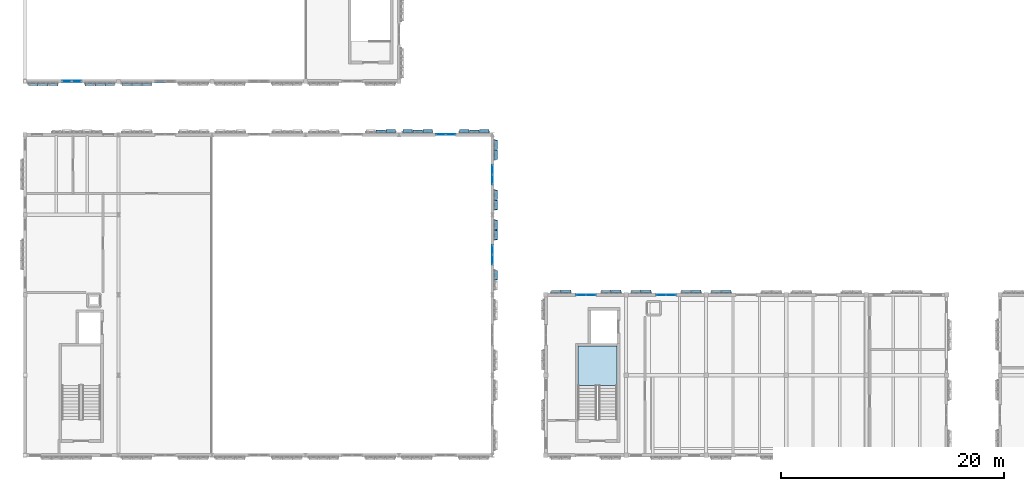
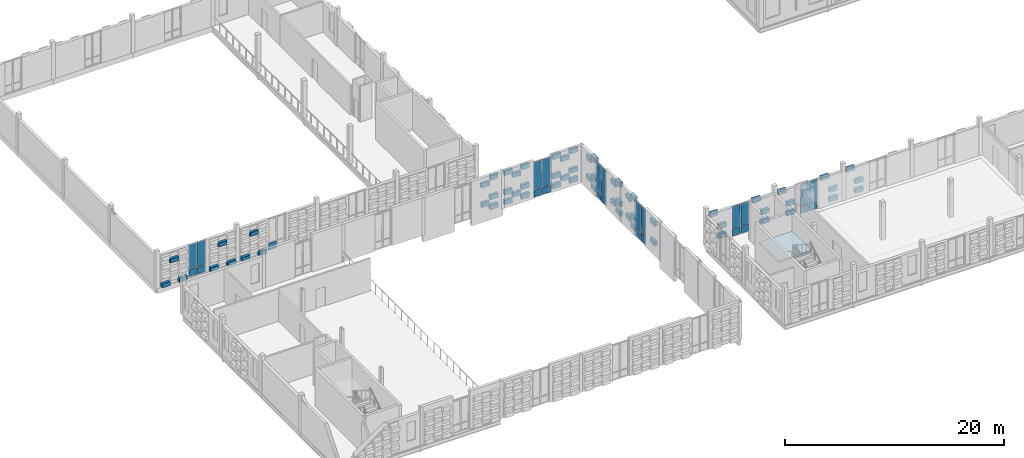
# One storey, part 33 of 81: 87 plates, 1 slab, 8 elements without a shape of their own.
"""IFC4 building model written with IfcOpenShell, lengths in metres."""

from ifc_helpers import new_model, si_unit, direction, frame, origin, origin_2d, place, context, subcontext, project, spatial, polyline, rectangle, outline, extrude, material, layer, layer_set, type_object, element, aggregate, save


model = new_model("IFC4")

# Units and contexts
model_context = context("Model", 3, precision=1e-05, world=origin(), true_north=direction((0.0, 1.0)))
body_context = subcontext(model_context, "Body", "Model", "MODEL_VIEW")
ifc_project = project(units=[si_unit("LENGTHUNIT", "METRE"), si_unit("AREAUNIT", "SQUARE_METRE"), si_unit("VOLUMEUNIT", "CUBIC_METRE"), si_unit("PLANEANGLEUNIT", "RADIAN"), si_unit("MASSUNIT", "GRAM", prefix="KILO")], contexts=[model_context])

# Site, building, storey
site_placement = place(None, origin())
site = spatial("IfcSite", under=ifc_project, at=site_placement, CompositionType="ELEMENT")
building_placement = place(site_placement, origin())
building = spatial("IfcBuilding", under=site, at=building_placement, Name="Kahlenmark Community Centre", CompositionType="ELEMENT")
storey_placement = place(building_placement, frame((0.0, 0.0, 9.60009765625)))
storey = spatial("IfcBuildingStorey", under=building, at=storey_placement, Name="L02", CompositionType="ELEMENT", Elevation=9.60009765625)

# Curtain wall, plates
ifc_material_1 = material(Name="Anodised aluminium unitised curtain wall", Category="aluminium")
curtain_wall_type_1 = type_object("IfcCurtainWallType", Name="CWT-UNIT-180X333", PredefinedType="USERDEFINED", material=ifc_material_1)
curtain_wall_1_placement = place(storey_placement, origin())
curtain_wall_1 = element("IfcCurtainWall", 1, at=curtain_wall_1_placement, inside=storey, type_object=curtain_wall_type_1, Name="Unitised curtain wall CW-084", ObjectType="UNITISED CURTAIN WALL", PredefinedType="USERDEFINED")
ifc_material_2 = material(Name="Triple low-e solar-control glass unit", Category="glass")
ifc_layer_1 = layer(ifc_material_2, 0.0439453125)
ifc_layer_set_1 = layer_set([ifc_layer_1], Name="Triple low-e solar-control glass unit")
plate_type_1 = type_object("IfcPlateType", Name="PLT-CW-GLZ-820X2400", PredefinedType="CURTAIN_PANEL", material=ifc_layer_set_1)
plate_1_placement = place(storey_placement, frame((62.050048828125, 23.199951171875, 0.889892578125), z_axis=(0.0, 0.0, 1.0), x_axis=(-1.0, 0.0, 0.0)))
plate_1 = element("IfcPlate", 2, at=plate_1_placement, type_object=plate_type_1, Name="CW-084 glazed panel 1", PredefinedType="CURTAIN_PANEL", context=body_context, shape_type="SweptSolid", body=[
    extrude(rectangle(XDim=0.820068359375, YDim=0.0439453125, at=origin_2d()), origin(), (0.0, 0.0, 1.0), 2.39990234375),
])
plate_2_placement = place(storey_placement, frame((61.14990234375, 23.199951171875, 0.889892578125), z_axis=(0.0, 0.0, 1.0), x_axis=(-1.0, 0.0, 0.0)))
plate_2 = element("IfcPlate", 3, at=plate_2_placement, type_object=plate_type_1, Name="CW-084 glazed panel 2", PredefinedType="CURTAIN_PANEL", context=body_context, shape_type="SweptSolid", body=[
    extrude(rectangle(XDim=0.820068359375, YDim=0.0439453125, at=origin_2d()), origin(), (0.0, 0.0, 1.0), 2.39990234375),
])

curtain_wall_type_2 = type_object("IfcCurtainWallType", Name="CWT-UNIT-180X337", PredefinedType="USERDEFINED", material=ifc_material_1)
curtain_wall_2_placement = place(storey_placement, origin())
curtain_wall_2 = element("IfcCurtainWall", 4, at=curtain_wall_2_placement, inside=storey, type_object=curtain_wall_type_2, Name="Unitised curtain wall CW-083", ObjectType="UNITISED CURTAIN WALL", PredefinedType="USERDEFINED")
ifc_layer_2 = layer(ifc_material_2, 0.0439453125)
ifc_layer_set_2 = layer_set([ifc_layer_2], Name="Triple low-e solar-control glass unit")
plate_type_2 = type_object("IfcPlateType", Name="PLT-CW-GLZ-820X2440", PredefinedType="CURTAIN_PANEL", material=ifc_layer_set_2)
plate_3_placement = place(storey_placement, frame((54.85009765625, 23.199951171875, 0.889892578125), z_axis=(0.0, 0.0, 1.0), x_axis=(-1.0, 0.0, 0.0)))
plate_3 = element("IfcPlate", 5, at=plate_3_placement, type_object=plate_type_2, Name="CW-083 glazed panel 1", PredefinedType="CURTAIN_PANEL", context=body_context, shape_type="SweptSolid", body=[
    extrude(rectangle(XDim=0.820068359375, YDim=0.0439453125, at=origin_2d()), origin(), (0.0, 0.0, 1.0), 2.43994140625),
])
plate_4_placement = place(storey_placement, frame((53.949951171875, 23.199951171875, 0.889892578125), z_axis=(0.0, 0.0, 1.0), x_axis=(-1.0, 0.0, 0.0)))
plate_4 = element("IfcPlate", 6, at=plate_4_placement, type_object=plate_type_2, Name="CW-083 glazed panel 2", PredefinedType="CURTAIN_PANEL", context=body_context, shape_type="SweptSolid", body=[
    extrude(rectangle(XDim=0.820068359375, YDim=0.0439453125, at=origin_2d()), origin(), (0.0, 0.0, 1.0), 2.43994140625),
])

curtain_wall_type_3 = type_object("IfcCurtainWallType", Name="CWT-UNIT-180X359", PredefinedType="USERDEFINED", material=ifc_material_1)
curtain_wall_3_placement = place(storey_placement, origin())
curtain_wall_3 = element("IfcCurtainWall", 7, at=curtain_wall_3_placement, inside=storey, type_object=curtain_wall_type_3, Name="Unitised curtain wall CW-070", ObjectType="UNITISED CURTAIN WALL", PredefinedType="USERDEFINED")
ifc_layer_3 = layer(ifc_material_2, 0.0439453125)
ifc_layer_set_3 = layer_set([ifc_layer_3], Name="Triple low-e solar-control glass unit")
plate_type_3 = type_object("IfcPlateType", Name="PLT-CW-GLZ-820X2660", PredefinedType="CURTAIN_PANEL", material=ifc_layer_set_3)
plate_5_placement = place(storey_placement, frame((7.75, 42.39990234375, 0.89013671875), z_axis=(0.0, 0.0, 1.0), x_axis=(1.0, 0.0, 0.0)))
plate_5 = element("IfcPlate", 8, at=plate_5_placement, type_object=plate_type_3, Name="CW-070 glazed panel 1", PredefinedType="CURTAIN_PANEL", context=body_context, shape_type="SweptSolid", body=[
    extrude(rectangle(XDim=0.820068359375, YDim=0.0439453125, at=origin_2d()), origin(), (0.0, 0.0, 1.0), 2.659912109375),
])
plate_6_placement = place(storey_placement, frame((8.64990234375, 42.39990234375, 0.89013671875), z_axis=(0.0, 0.0, 1.0), x_axis=(1.0, 0.0, 0.0)))
plate_6 = element("IfcPlate", 9, at=plate_6_placement, type_object=plate_type_3, Name="CW-070 glazed panel 2", PredefinedType="CURTAIN_PANEL", context=body_context, shape_type="SweptSolid", body=[
    extrude(rectangle(XDim=0.820068359375, YDim=0.0439453125, at=origin_2d()), origin(), (0.0, 0.0, 1.0), 2.659912109375),
])

curtain_wall_type_4 = type_object("IfcCurtainWallType", Name="CWT-UNIT-180X398", PredefinedType="USERDEFINED", material=ifc_material_1)
curtain_wall_4_placement = place(storey_placement, origin())
curtain_wall_4 = element("IfcCurtainWall", 10, at=curtain_wall_4_placement, inside=storey, type_object=curtain_wall_type_4, Name="Unitised curtain wall CW-065", ObjectType="UNITISED CURTAIN WALL", PredefinedType="USERDEFINED")
ifc_layer_4 = layer(ifc_material_2, 0.0439453125)
ifc_layer_set_4 = layer_set([ifc_layer_4], Name="Triple low-e solar-control glass unit")
plate_type_4 = type_object("IfcPlateType", Name="PLT-CW-GLZ-820X3050", PredefinedType="CURTAIN_PANEL", material=ifc_layer_set_4)
plate_7_placement = place(storey_placement, frame((42.25, 37.60009765625, 0.8896484375), z_axis=(0.0, 0.0, 1.0), x_axis=(-1.0, 0.0, 0.0)))
plate_7 = element("IfcPlate", 11, at=plate_7_placement, type_object=plate_type_4, Name="CW-065 glazed panel 1", PredefinedType="CURTAIN_PANEL", context=body_context, shape_type="SweptSolid", body=[
    extrude(rectangle(XDim=0.820068359375, YDim=0.0439453125, at=origin_2d()), origin(), (0.0, 0.0, 1.0), 3.050048828125),
])
plate_8_placement = place(storey_placement, frame((41.35009765625, 37.60009765625, 0.8896484375), z_axis=(0.0, 0.0, 1.0), x_axis=(-1.0, 0.0, 0.0)))
plate_8 = element("IfcPlate", 12, at=plate_8_placement, type_object=plate_type_4, Name="CW-065 glazed panel 2", PredefinedType="CURTAIN_PANEL", context=body_context, shape_type="SweptSolid", body=[
    extrude(rectangle(XDim=0.820068359375, YDim=0.0439453125, at=origin_2d()), origin(), (0.0, 0.0, 1.0), 3.050048828125),
])

curtain_wall_5_placement = place(storey_placement, origin())
curtain_wall_5 = element("IfcCurtainWall", 13, at=curtain_wall_5_placement, inside=storey, type_object=curtain_wall_type_4, Name="Unitised curtain wall CW-068", ObjectType="UNITISED CURTAIN WALL", PredefinedType="USERDEFINED")
plate_9_placement = place(storey_placement, frame((46.0, 26.35009765625, 0.8896484375), z_axis=(0.0, 0.0, 1.0), x_axis=(0.0, 1.0, 0.0)))
plate_9 = element("IfcPlate", 14, at=plate_9_placement, type_object=plate_type_4, Name="CW-068 glazed panel 1", PredefinedType="CURTAIN_PANEL", context=body_context, shape_type="SweptSolid", body=[
    extrude(rectangle(XDim=0.820068359375, YDim=0.0439453125, at=origin_2d()), origin(), (0.0, 0.0, 1.0), 3.050048828125),
])
plate_10_placement = place(storey_placement, frame((46.0, 27.25, 0.8896484375), z_axis=(0.0, 0.0, 1.0), x_axis=(0.0, 1.0, 0.0)))
plate_10 = element("IfcPlate", 15, at=plate_10_placement, type_object=plate_type_4, Name="CW-068 glazed panel 2", PredefinedType="CURTAIN_PANEL", context=body_context, shape_type="SweptSolid", body=[
    extrude(rectangle(XDim=0.820068359375, YDim=0.0439453125, at=origin_2d()), origin(), (0.0, 0.0, 1.0), 3.050048828125),
])

curtain_wall_6_placement = place(storey_placement, origin())
curtain_wall_6 = element("IfcCurtainWall", 16, at=curtain_wall_6_placement, inside=storey, type_object=curtain_wall_type_4, Name="Unitised curtain wall CW-069", ObjectType="UNITISED CURTAIN WALL", PredefinedType="USERDEFINED")
plate_11_placement = place(storey_placement, frame((46.0, 33.550048828125, 0.8896484375), z_axis=(0.0, 0.0, 1.0), x_axis=(0.0, 1.0, 0.0)))
plate_11 = element("IfcPlate", 17, at=plate_11_placement, type_object=plate_type_4, Name="CW-069 glazed panel 1", PredefinedType="CURTAIN_PANEL", context=body_context, shape_type="SweptSolid", body=[
    extrude(rectangle(XDim=0.820068359375, YDim=0.0439453125, at=origin_2d()), origin(), (0.0, 0.0, 1.0), 3.050048828125),
])
plate_12_placement = place(storey_placement, frame((46.0, 34.449951171875, 0.8896484375), z_axis=(0.0, 0.0, 1.0), x_axis=(0.0, 1.0, 0.0)))
plate_12 = element("IfcPlate", 18, at=plate_12_placement, type_object=plate_type_4, Name="CW-069 glazed panel 2", PredefinedType="CURTAIN_PANEL", context=body_context, shape_type="SweptSolid", body=[
    extrude(rectangle(XDim=0.820068359375, YDim=0.0439453125, at=origin_2d()), origin(), (0.0, 0.0, 1.0), 3.050048828125),
])

# Plate
ifc_material_3 = material(Name="Warm terracotta insulated spandrel cassette", Category="masonry")
ifc_layer_5 = layer(ifc_material_3, 0.06005859375)
ifc_layer_set_5 = layer_set([ifc_layer_5], Name="Warm terracotta insulated spandrel cassette")
plate_type_5 = type_object("IfcPlateType", Name="PLT-CW-SPD-820X770", PredefinedType="CURTAIN_PANEL", material=ifc_layer_set_5)
plate_13_placement = place(storey_placement, frame((42.25, 37.60009765625, 0.039794921875), z_axis=(0.0, 0.0, 1.0), x_axis=(-1.0, 0.0, 0.0)))
plate_13 = element("IfcPlate", 19, at=plate_13_placement, type_object=plate_type_5, Name="CW-065 spandrel 1", PredefinedType="CURTAIN_PANEL", context=body_context, shape_type="SweptSolid", body=[
    extrude(rectangle(XDim=0.820068359375, YDim=0.06005859375, at=origin_2d()), origin(), (0.0, 0.0, 1.0), 0.77001953125),
])

plate_14_placement = place(storey_placement, frame((41.35009765625, 37.60009765625, 0.039794921875), z_axis=(0.0, 0.0, 1.0), x_axis=(-1.0, 0.0, 0.0)))
plate_14 = element("IfcPlate", 20, at=plate_14_placement, type_object=plate_type_5, Name="CW-065 spandrel 2", PredefinedType="CURTAIN_PANEL", context=body_context, shape_type="SweptSolid", body=[
    extrude(rectangle(XDim=0.820068359375, YDim=0.06005859375, at=origin_2d()), origin(), (0.0, 0.0, 1.0), 0.77001953125),
])

aggregate(curtain_wall_4, [plate_13, plate_7, plate_14, plate_8])

plate_15_placement = place(storey_placement, frame((46.0, 26.35009765625, 0.039794921875), z_axis=(0.0, 0.0, 1.0), x_axis=(0.0, 1.0, 0.0)))
plate_15 = element("IfcPlate", 21, at=plate_15_placement, type_object=plate_type_5, Name="CW-068 spandrel 1", PredefinedType="CURTAIN_PANEL", context=body_context, shape_type="SweptSolid", body=[
    extrude(rectangle(XDim=0.820068359375, YDim=0.06005859375, at=origin_2d()), origin(), (0.0, 0.0, 1.0), 0.77001953125),
])

plate_16_placement = place(storey_placement, frame((46.0, 27.25, 0.039794921875), z_axis=(0.0, 0.0, 1.0), x_axis=(0.0, 1.0, 0.0)))
plate_16 = element("IfcPlate", 22, at=plate_16_placement, type_object=plate_type_5, Name="CW-068 spandrel 2", PredefinedType="CURTAIN_PANEL", context=body_context, shape_type="SweptSolid", body=[
    extrude(rectangle(XDim=0.820068359375, YDim=0.06005859375, at=origin_2d()), origin(), (0.0, 0.0, 1.0), 0.77001953125),
])

aggregate(curtain_wall_5, [plate_15, plate_9, plate_16, plate_10])

plate_17_placement = place(storey_placement, frame((46.0, 33.550048828125, 0.039794921875), z_axis=(0.0, 0.0, 1.0), x_axis=(0.0, 1.0, 0.0)))
plate_17 = element("IfcPlate", 23, at=plate_17_placement, type_object=plate_type_5, Name="CW-069 spandrel 1", PredefinedType="CURTAIN_PANEL", context=body_context, shape_type="SweptSolid", body=[
    extrude(rectangle(XDim=0.820068359375, YDim=0.06005859375, at=origin_2d()), origin(), (0.0, 0.0, 1.0), 0.77001953125),
])

plate_18_placement = place(storey_placement, frame((46.0, 34.449951171875, 0.039794921875), z_axis=(0.0, 0.0, 1.0), x_axis=(0.0, 1.0, 0.0)))
plate_18 = element("IfcPlate", 24, at=plate_18_placement, type_object=plate_type_5, Name="CW-069 spandrel 2", PredefinedType="CURTAIN_PANEL", context=body_context, shape_type="SweptSolid", body=[
    extrude(rectangle(XDim=0.820068359375, YDim=0.06005859375, at=origin_2d()), origin(), (0.0, 0.0, 1.0), 0.77001953125),
])

aggregate(curtain_wall_6, [plate_17, plate_11, plate_18, plate_12])

plate_19_placement = place(storey_placement, frame((7.75, 42.39990234375, 0.039794921875), z_axis=(0.0, 0.0, 1.0), x_axis=(1.0, 0.0, 0.0)))
plate_19 = element("IfcPlate", 25, at=plate_19_placement, type_object=plate_type_5, Name="CW-070 spandrel 1", PredefinedType="CURTAIN_PANEL", context=body_context, shape_type="SweptSolid", body=[
    extrude(rectangle(XDim=0.820068359375, YDim=0.06005859375, at=origin_2d()), origin(), (0.0, 0.0, 1.0), 0.77001953125),
])

plate_20_placement = place(storey_placement, frame((8.64990234375, 42.39990234375, 0.039794921875), z_axis=(0.0, 0.0, 1.0), x_axis=(1.0, 0.0, 0.0)))
plate_20 = element("IfcPlate", 26, at=plate_20_placement, type_object=plate_type_5, Name="CW-070 spandrel 2", PredefinedType="CURTAIN_PANEL", context=body_context, shape_type="SweptSolid", body=[
    extrude(rectangle(XDim=0.820068359375, YDim=0.06005859375, at=origin_2d()), origin(), (0.0, 0.0, 1.0), 0.77001953125),
])

aggregate(curtain_wall_3, [plate_19, plate_5, plate_20, plate_6])

# Curtain wall, plate
curtain_wall_7_placement = place(storey_placement, origin())
curtain_wall_7 = element("IfcCurtainWall", 27, at=curtain_wall_7_placement, inside=storey, type_object=curtain_wall_type_3, Name="Unitised curtain wall CW-071", ObjectType="UNITISED CURTAIN WALL", PredefinedType="USERDEFINED")
plate_21_placement = place(storey_placement, frame((16.14990234375, 42.39990234375, 0.039794921875), z_axis=(0.0, 0.0, 1.0), x_axis=(1.0, 0.0, 0.0)))
plate_21 = element("IfcPlate", 28, at=plate_21_placement, type_object=plate_type_5, Name="CW-071 spandrel 1", PredefinedType="CURTAIN_PANEL", context=body_context, shape_type="SweptSolid", body=[
    extrude(rectangle(XDim=0.820068359375, YDim=0.06005859375, at=origin_2d()), origin(), (0.0, 0.0, 1.0), 0.77001953125),
])
aggregate(curtain_wall_7, [plate_21])

# Plate
plate_22_placement = place(storey_placement, frame((54.85009765625, 23.199951171875, 0.039794921875), z_axis=(0.0, 0.0, 1.0), x_axis=(-1.0, 0.0, 0.0)))
plate_22 = element("IfcPlate", 29, at=plate_22_placement, type_object=plate_type_5, Name="CW-083 spandrel 1", PredefinedType="CURTAIN_PANEL", context=body_context, shape_type="SweptSolid", body=[
    extrude(rectangle(XDim=0.820068359375, YDim=0.06005859375, at=origin_2d()), origin(), (0.0, 0.0, 1.0), 0.77001953125),
])

plate_23_placement = place(storey_placement, frame((53.949951171875, 23.199951171875, 0.039794921875), z_axis=(0.0, 0.0, 1.0), x_axis=(-1.0, 0.0, 0.0)))
plate_23 = element("IfcPlate", 30, at=plate_23_placement, type_object=plate_type_5, Name="CW-083 spandrel 2", PredefinedType="CURTAIN_PANEL", context=body_context, shape_type="SweptSolid", body=[
    extrude(rectangle(XDim=0.820068359375, YDim=0.06005859375, at=origin_2d()), origin(), (0.0, 0.0, 1.0), 0.77001953125),
])

aggregate(curtain_wall_2, [plate_22, plate_3, plate_23, plate_4])

plate_24_placement = place(storey_placement, frame((62.050048828125, 23.199951171875, 0.039794921875), z_axis=(0.0, 0.0, 1.0), x_axis=(-1.0, 0.0, 0.0)))
plate_24 = element("IfcPlate", 31, at=plate_24_placement, type_object=plate_type_5, Name="CW-084 spandrel 1", PredefinedType="CURTAIN_PANEL", context=body_context, shape_type="SweptSolid", body=[
    extrude(rectangle(XDim=0.820068359375, YDim=0.06005859375, at=origin_2d()), origin(), (0.0, 0.0, 1.0), 0.77001953125),
])

plate_25_placement = place(storey_placement, frame((61.14990234375, 23.199951171875, 0.039794921875), z_axis=(0.0, 0.0, 1.0), x_axis=(-1.0, 0.0, 0.0)))
plate_25 = element("IfcPlate", 32, at=plate_25_placement, type_object=plate_type_5, Name="CW-084 spandrel 2", PredefinedType="CURTAIN_PANEL", context=body_context, shape_type="SweptSolid", body=[
    extrude(rectangle(XDim=0.820068359375, YDim=0.06005859375, at=origin_2d()), origin(), (0.0, 0.0, 1.0), 0.77001953125),
])

aggregate(curtain_wall_1, [plate_24, plate_1, plate_25, plate_2])

# Plates
ifc_material_4 = material(Name="Extruded glazed terracotta weave cassette", Category="masonry")
ifc_layer_6 = layer(ifc_material_4, 0.300048828125)
ifc_layer_set_6 = layer_set([ifc_layer_6], Name="Extruded glazed terracotta weave cassette")
plate_type_6 = type_object("IfcPlateType", Name="PLT-TC-TC-R34-820X300X506", PredefinedType="SHEET", material=ifc_layer_set_6)
for number, where, z_axis, x_axis, name in (
    (33, (36.8701171875, 37.89990234375, 3.3759765625), (0.0, 0.0, 1.0), (-1.0, 0.0, 0.0), "Basketweave terracotta cassette 2091"),
    (34, (45.27001953125, 37.89990234375, 3.3759765625), (0.0, 0.0, 1.0), (-1.0, 0.0, 0.0), "Basketweave terracotta cassette 2133"),
    (35, (43.469970703125, 37.89990234375, 3.3759765625), (0.0, 0.0, 1.0), (-1.0, 0.0, 0.0), "Basketweave terracotta cassette 2147"),
    (36, (40.169921875, 37.89990234375, 3.3759765625), (0.0, 0.0, 1.0), (-1.0, 0.0, 0.0), "Basketweave terracotta cassette 2154"),
    (37, (38.3701171875, 37.89990234375, 3.3759765625), (0.0, 0.0, 1.0), (-1.0, 0.0, 0.0), "Basketweave terracotta cassette 2168"),
    (38, (46.300048828125, 28.580078125, 3.3759765625), (0.0, 0.0, 1.0), (0.0, 1.0, 0.0), "Basketweave terracotta cassette 2281"),
    (39, (46.300048828125, 31.280029296875, 3.3759765625), (0.0, 0.0, 1.0), (0.0, 1.0, 0.0), "Basketweave terracotta cassette 2295"),
    (40, (46.300048828125, 35.780029296875, 3.3759765625), (0.0, 0.0, 1.0), (0.0, 1.0, 0.0), "Basketweave terracotta cassette 2309"),
):
    element("IfcPlate", number, at=place(storey_placement, frame(where, z_axis=z_axis, x_axis=x_axis)), inside=storey, type_object=plate_type_6, Name=name, PredefinedType="SHEET", context=body_context, shape_type="SweptSolid", body=[
        extrude(rectangle(XDim=0.820068359375, YDim=0.300048828125, at=origin_2d()), origin(), (0.0, 0.0, 1.0), 0.506103515625),
    ])
ifc_layer_7 = layer(ifc_material_4, 0.300048828125)
ifc_layer_set_7 = layer_set([ifc_layer_7], Name="Extruded glazed terracotta weave cassette")
plate_type_7 = type_object("IfcPlateType", Name="PLT-TC-TC-R34-840X300X488", PredefinedType="SHEET", material=ifc_layer_set_7)
for number, where, z_axis, x_axis, name in (
    (41, (64.320068359375, 23.5, 1.15576171875), (0.0, 0.0, 1.0), (-1.0, 0.0, 0.0), "Basketweave terracotta cassette 2895"),
    (42, (59.820068359375, 23.5, 1.15576171875), (0.0, 0.0, 1.0), (-1.0, 0.0, 0.0), "Basketweave terracotta cassette 2907"),
    (43, (67.02001953125, 23.5, 1.15576171875), (0.0, 0.0, 1.0), (-1.0, 0.0, 0.0), "Basketweave terracotta cassette 2931"),
):
    element("IfcPlate", number, at=place(storey_placement, frame(where, z_axis=z_axis, x_axis=x_axis)), inside=storey, type_object=plate_type_7, Name=name, PredefinedType="SHEET", context=body_context, shape_type="SweptSolid", body=[
        extrude(rectangle(XDim=0.840087890625, YDim=0.300048828125, at=origin_2d()), origin(), (0.0, 0.0, 1.0), 0.488037109375),
    ])
ifc_layer_8 = layer(ifc_material_4, 0.300048828125)
ifc_layer_set_8 = layer_set([ifc_layer_8], Name="Extruded glazed terracotta weave cassette")
plate_type_8 = type_object("IfcPlateType", Name="PLT-TC-TC-R34-840X300X495", PredefinedType="SHEET", material=ifc_layer_set_8)
for number, where, z_axis, x_axis, name in (
    (44, (57.1201171875, 23.5, 1.169921875), (0.0, 0.0, 1.0), (-1.0, 0.0, 0.0), "Basketweave terracotta cassette 2871"),
    (45, (52.6201171875, 23.5, 1.169921875), (0.0, 0.0, 1.0), (-1.0, 0.0, 0.0), "Basketweave terracotta cassette 2883"),
):
    element("IfcPlate", number, at=place(storey_placement, frame(where, z_axis=z_axis, x_axis=x_axis)), inside=storey, type_object=plate_type_8, Name=name, PredefinedType="SHEET", context=body_context, shape_type="SweptSolid", body=[
        extrude(rectangle(XDim=0.840087890625, YDim=0.300048828125, at=origin_2d()), origin(), (0.0, 0.0, 1.0), 0.4951171875),
    ])
ifc_layer_9 = layer(ifc_material_4, 0.300048828125)
ifc_layer_set_9 = layer_set([ifc_layer_9], Name="Extruded glazed terracotta weave cassette")
plate_type_9 = type_object("IfcPlateType", Name="PLT-TC-TC-R34-840X300X506", PredefinedType="SHEET", material=ifc_layer_set_9)
for number, where, z_axis, x_axis, name in (
    (46, (36.8701171875, 37.89990234375, 1.19189453125), (0.0, 0.0, 1.0), (-1.0, 0.0, 0.0), "Basketweave terracotta cassette 2087"),
    (47, (45.27001953125, 37.89990234375, 1.19189453125), (0.0, 0.0, 1.0), (-1.0, 0.0, 0.0), "Basketweave terracotta cassette 2129"),
    (48, (43.469970703125, 37.89990234375, 1.19189453125), (0.0, 0.0, 1.0), (-1.0, 0.0, 0.0), "Basketweave terracotta cassette 2143"),
    (49, (40.169921875, 37.89990234375, 1.19189453125), (0.0, 0.0, 1.0), (-1.0, 0.0, 0.0), "Basketweave terracotta cassette 2150"),
    (50, (38.3701171875, 37.89990234375, 1.19189453125), (0.0, 0.0, 1.0), (-1.0, 0.0, 0.0), "Basketweave terracotta cassette 2164"),
    (51, (46.300048828125, 28.580078125, 1.19189453125), (0.0, 0.0, 1.0), (0.0, 1.0, 0.0), "Basketweave terracotta cassette 2277"),
    (52, (46.300048828125, 31.280029296875, 1.19189453125), (0.0, 0.0, 1.0), (0.0, 1.0, 0.0), "Basketweave terracotta cassette 2291"),
    (53, (46.300048828125, 35.780029296875, 1.19189453125), (0.0, 0.0, 1.0), (0.0, 1.0, 0.0), "Basketweave terracotta cassette 2305"),
):
    element("IfcPlate", number, at=place(storey_placement, frame(where, z_axis=z_axis, x_axis=x_axis)), inside=storey, type_object=plate_type_9, Name=name, PredefinedType="SHEET", context=body_context, shape_type="SweptSolid", body=[
        extrude(rectangle(XDim=0.840087890625, YDim=0.300048828125, at=origin_2d()), origin(), (0.0, 0.0, 1.0), 0.506103515625),
    ])
ifc_layer_10 = layer(ifc_material_4, 0.300048828125)
ifc_layer_set_10 = layer_set([ifc_layer_10], Name="Extruded glazed terracotta weave cassette")
plate_type_10 = type_object("IfcPlateType", Name="PLT-TC-TC-R34-860X300X450", PredefinedType="SHEET", material=ifc_layer_set_10)
for number, where, z_axis, x_axis, name in (
    (54, (4.72998046875, 42.10009765625, 0.10009765625), (0.0, 0.0, 1.0), (1.0, 0.0, 0.0), "Basketweave terracotta cassette 2317"),
    (55, (6.530029296875, 42.10009765625, 0.10009765625), (0.0, 0.0, 1.0), (1.0, 0.0, 0.0), "Basketweave terracotta cassette 2331"),
    (56, (9.830078125, 42.10009765625, 0.10009765625), (0.0, 0.0, 1.0), (1.0, 0.0, 0.0), "Basketweave terracotta cassette 2338"),
    (57, (11.6298828125, 42.10009765625, 0.10009765625), (0.0, 0.0, 1.0), (1.0, 0.0, 0.0), "Basketweave terracotta cassette 2352"),
    (58, (13.1298828125, 42.10009765625, 0.10009765625), (0.0, 0.0, 1.0), (1.0, 0.0, 0.0), "Basketweave terracotta cassette 2359"),
    (59, (14.929931640625, 42.10009765625, 0.10009765625), (0.0, 0.0, 1.0), (1.0, 0.0, 0.0), "Basketweave terracotta cassette 2373"),
):
    element("IfcPlate", number, at=place(storey_placement, frame(where, z_axis=z_axis, x_axis=x_axis)), inside=storey, type_object=plate_type_10, Name=name, PredefinedType="SHEET", context=body_context, shape_type="SweptSolid", body=[
        extrude(rectangle(XDim=0.860107421875, YDim=0.300048828125, at=origin_2d()), origin(), (0.0, 0.0, 1.0), 0.449951171875),
    ])
ifc_layer_11 = layer(ifc_material_4, 0.300048828125)
ifc_layer_set_11 = layer_set([ifc_layer_11], Name="Extruded glazed terracotta weave cassette")
plate_type_11 = type_object("IfcPlateType", Name="PLT-TC-TC-R34-860X300X488", PredefinedType="SHEET", material=ifc_layer_set_11)
for number, where, z_axis, x_axis, name in (
    (60, (64.320068359375, 23.5, 0.10009765625), (0.0, 0.0, 1.0), (-1.0, 0.0, 0.0), "Basketweave terracotta cassette 2893"),
    (61, (59.820068359375, 23.5, 0.10009765625), (0.0, 0.0, 1.0), (-1.0, 0.0, 0.0), "Basketweave terracotta cassette 2905"),
    (62, (67.02001953125, 23.5, 0.10009765625), (0.0, 0.0, 1.0), (-1.0, 0.0, 0.0), "Basketweave terracotta cassette 2929"),
):
    element("IfcPlate", number, at=place(storey_placement, frame(where, z_axis=z_axis, x_axis=x_axis)), inside=storey, type_object=plate_type_11, Name=name, PredefinedType="SHEET", context=body_context, shape_type="SweptSolid", body=[
        extrude(rectangle(XDim=0.860107421875, YDim=0.300048828125, at=origin_2d()), origin(), (0.0, 0.0, 1.0), 0.488037109375),
    ])
ifc_layer_12 = layer(ifc_material_4, 0.300048828125)
ifc_layer_set_12 = layer_set([ifc_layer_12], Name="Extruded glazed terracotta weave cassette")
plate_type_12 = type_object("IfcPlateType", Name="PLT-TC-TC-R34-860X300X495", PredefinedType="SHEET", material=ifc_layer_set_12)
for number, where, z_axis, x_axis, name in (
    (63, (57.1201171875, 23.5, 0.099853515625), (0.0, 0.0, 1.0), (-1.0, 0.0, 0.0), "Basketweave terracotta cassette 2869"),
    (64, (52.6201171875, 23.5, 0.099853515625), (0.0, 0.0, 1.0), (-1.0, 0.0, 0.0), "Basketweave terracotta cassette 2881"),
):
    element("IfcPlate", number, at=place(storey_placement, frame(where, z_axis=z_axis, x_axis=x_axis)), inside=storey, type_object=plate_type_12, Name=name, PredefinedType="SHEET", context=body_context, shape_type="SweptSolid", body=[
        extrude(rectangle(XDim=0.860107421875, YDim=0.300048828125, at=origin_2d()), origin(), (0.0, 0.0, 1.0), 0.4951171875),
    ])
ifc_layer_13 = layer(ifc_material_4, 0.300048828125)
ifc_layer_set_13 = layer_set([ifc_layer_13], Name="Extruded glazed terracotta weave cassette")
plate_type_13 = type_object("IfcPlateType", Name="PLT-TC-TC-R34-860X300X506", PredefinedType="SHEET", material=ifc_layer_set_13)
for number, where, z_axis, x_axis, name in (
    (65, (36.8701171875, 37.89990234375, 0.099609375), (0.0, 0.0, 1.0), (-1.0, 0.0, 0.0), "Basketweave terracotta cassette 2085"),
    (66, (45.27001953125, 37.89990234375, 0.099609375), (0.0, 0.0, 1.0), (-1.0, 0.0, 0.0), "Basketweave terracotta cassette 2127"),
    (67, (43.469970703125, 37.89990234375, 0.099609375), (0.0, 0.0, 1.0), (-1.0, 0.0, 0.0), "Basketweave terracotta cassette 2141"),
    (68, (40.169921875, 37.89990234375, 0.099609375), (0.0, 0.0, 1.0), (-1.0, 0.0, 0.0), "Basketweave terracotta cassette 2148"),
    (69, (38.3701171875, 37.89990234375, 0.099609375), (0.0, 0.0, 1.0), (-1.0, 0.0, 0.0), "Basketweave terracotta cassette 2162"),
    (70, (46.300048828125, 28.580078125, 0.099609375), (0.0, 0.0, 1.0), (0.0, 1.0, 0.0), "Basketweave terracotta cassette 2275"),
    (71, (46.300048828125, 31.280029296875, 0.099609375), (0.0, 0.0, 1.0), (0.0, 1.0, 0.0), "Basketweave terracotta cassette 2289"),
    (72, (46.300048828125, 35.780029296875, 0.099609375), (0.0, 0.0, 1.0), (0.0, 1.0, 0.0), "Basketweave terracotta cassette 2303"),
):
    element("IfcPlate", number, at=place(storey_placement, frame(where, z_axis=z_axis, x_axis=x_axis)), inside=storey, type_object=plate_type_13, Name=name, PredefinedType="SHEET", context=body_context, shape_type="SweptSolid", body=[
        extrude(rectangle(XDim=0.860107421875, YDim=0.300048828125, at=origin_2d()), origin(), (0.0, 0.0, 1.0), 0.506103515625),
    ])
ifc_layer_14 = layer(ifc_material_4, 0.280029296875)
ifc_layer_set_14 = layer_set([ifc_layer_14], Name="Extruded glazed terracotta weave cassette")
plate_type_14 = type_object("IfcPlateType", Name="PLT-TC-TC-W30-820X280X506", PredefinedType="SHEET", material=ifc_layer_set_14)
for number, where, z_axis, x_axis, name in (
    (73, (35.969970703125, 37.889892578125, 0.64599609375), (0.0, 0.0, 1.0), (-1.0, 0.0, 0.0), "Basketweave terracotta cassette 2093"),
    (74, (44.3701171875, 37.889892578125, 0.64599609375), (0.0, 0.0, 1.0), (-1.0, 0.0, 0.0), "Basketweave terracotta cassette 2135"),
    (75, (39.27001953125, 37.889892578125, 0.64599609375), (0.0, 0.0, 1.0), (-1.0, 0.0, 0.0), "Basketweave terracotta cassette 2156"),
    (76, (46.2900390625, 24.97998046875, 0.64599609375), (0.0, 0.0, 1.0), (0.0, 1.0, 0.0), "Basketweave terracotta cassette 2269"),
    (77, (46.2900390625, 29.47998046875, 0.64599609375), (0.0, 0.0, 1.0), (0.0, 1.0, 0.0), "Basketweave terracotta cassette 2283"),
    (78, (46.2900390625, 32.179931640625, 0.64599609375), (0.0, 0.0, 1.0), (0.0, 1.0, 0.0), "Basketweave terracotta cassette 2297"),
    (79, (46.2900390625, 36.679931640625, 0.64599609375), (0.0, 0.0, 1.0), (0.0, 1.0, 0.0), "Basketweave terracotta cassette 2311"),
):
    element("IfcPlate", number, at=place(storey_placement, frame(where, z_axis=z_axis, x_axis=x_axis)), inside=storey, type_object=plate_type_14, Name=name, PredefinedType="SHEET", context=body_context, shape_type="SweptSolid", body=[
        extrude(rectangle(XDim=0.820068359375, YDim=0.280029296875, at=origin_2d()), origin(), (0.0, 0.0, 1.0), 0.506103515625),
    ])
ifc_layer_15 = layer(ifc_material_4, 0.280029296875)
ifc_layer_set_15 = layer_set([ifc_layer_15], Name="Extruded glazed terracotta weave cassette")
plate_type_15 = type_object("IfcPlateType", Name="PLT-TC-TC-W30-860X280X450", PredefinedType="SHEET", material=ifc_layer_set_15)
for number, where, z_axis, x_axis, name in (
    (80, (5.6298828125, 42.110107421875, 2.5498046875), (0.0, 0.0, 1.0), (1.0, 0.0, 0.0), "Basketweave terracotta cassette 2329"),
    (81, (10.72998046875, 42.110107421875, 2.5498046875), (0.0, 0.0, 1.0), (1.0, 0.0, 0.0), "Basketweave terracotta cassette 2350"),
    (82, (14.030029296875, 42.110107421875, 2.5498046875), (0.0, 0.0, 1.0), (1.0, 0.0, 0.0), "Basketweave terracotta cassette 2371"),
):
    element("IfcPlate", number, at=place(storey_placement, frame(where, z_axis=z_axis, x_axis=x_axis)), inside=storey, type_object=plate_type_15, Name=name, PredefinedType="SHEET", context=body_context, shape_type="SweptSolid", body=[
        extrude(rectangle(XDim=0.860107421875, YDim=0.280029296875, at=origin_2d()), origin(), (0.0, 0.0, 1.0), 0.449951171875),
    ])
ifc_layer_16 = layer(ifc_material_4, 0.280029296875)
ifc_layer_set_16 = layer_set([ifc_layer_16], Name="Extruded glazed terracotta weave cassette")
plate_type_16 = type_object("IfcPlateType", Name="PLT-TC-TC-W30-860X280X488", PredefinedType="SHEET", material=ifc_layer_set_16)
for number, where, z_axis, x_axis, name in (
    (83, (63.419921875, 23.489990234375, 2.73974609375), (0.0, 0.0, 1.0), (-1.0, 0.0, 0.0), "Basketweave terracotta cassette 2904"),
    (84, (58.919921875, 23.489990234375, 2.73974609375), (0.0, 0.0, 1.0), (-1.0, 0.0, 0.0), "Basketweave terracotta cassette 2916"),
    (85, (66.1201171875, 23.489990234375, 2.73974609375), (0.0, 0.0, 1.0), (-1.0, 0.0, 0.0), "Basketweave terracotta cassette 2940"),
):
    element("IfcPlate", number, at=place(storey_placement, frame(where, z_axis=z_axis, x_axis=x_axis)), inside=storey, type_object=plate_type_16, Name=name, PredefinedType="SHEET", context=body_context, shape_type="SweptSolid", body=[
        extrude(rectangle(XDim=0.860107421875, YDim=0.280029296875, at=origin_2d()), origin(), (0.0, 0.0, 1.0), 0.488037109375),
    ])
ifc_layer_17 = layer(ifc_material_4, 0.280029296875)
ifc_layer_set_17 = layer_set([ifc_layer_17], Name="Extruded glazed terracotta weave cassette")
plate_type_17 = type_object("IfcPlateType", Name="PLT-TC-TC-W30-860X280X495", PredefinedType="SHEET", material=ifc_layer_set_17)
for number, where, z_axis, x_axis, name in (
    (86, (56.219970703125, 23.489990234375, 2.77490234375), (0.0, 0.0, 1.0), (-1.0, 0.0, 0.0), "Basketweave terracotta cassette 2880"),
    (87, (51.719970703125, 23.489990234375, 2.77490234375), (0.0, 0.0, 1.0), (-1.0, 0.0, 0.0), "Basketweave terracotta cassette 2892"),
):
    element("IfcPlate", number, at=place(storey_placement, frame(where, z_axis=z_axis, x_axis=x_axis)), inside=storey, type_object=plate_type_17, Name=name, PredefinedType="SHEET", context=body_context, shape_type="SweptSolid", body=[
        extrude(rectangle(XDim=0.860107421875, YDim=0.280029296875, at=origin_2d()), origin(), (0.0, 0.0, 1.0), 0.4951171875),
    ])
ifc_layer_18 = layer(ifc_material_4, 0.280029296875)
ifc_layer_set_18 = layer_set([ifc_layer_18], Name="Extruded glazed terracotta weave cassette")
plate_type_18 = type_object("IfcPlateType", Name="PLT-TC-TC-W30-860X280X506", PredefinedType="SHEET", material=ifc_layer_set_18)
for number, where, z_axis, x_axis, name in (
    (88, (35.969970703125, 37.889892578125, 2.830078125), (0.0, 0.0, 1.0), (-1.0, 0.0, 0.0), "Basketweave terracotta cassette 2097"),
    (89, (44.3701171875, 37.889892578125, 2.830078125), (0.0, 0.0, 1.0), (-1.0, 0.0, 0.0), "Basketweave terracotta cassette 2139"),
    (90, (39.27001953125, 37.889892578125, 2.830078125), (0.0, 0.0, 1.0), (-1.0, 0.0, 0.0), "Basketweave terracotta cassette 2160"),
    (91, (46.2900390625, 24.97998046875, 2.830078125), (0.0, 0.0, 1.0), (0.0, 1.0, 0.0), "Basketweave terracotta cassette 2273"),
    (92, (46.2900390625, 29.47998046875, 2.830078125), (0.0, 0.0, 1.0), (0.0, 1.0, 0.0), "Basketweave terracotta cassette 2287"),
    (93, (46.2900390625, 32.179931640625, 2.830078125), (0.0, 0.0, 1.0), (0.0, 1.0, 0.0), "Basketweave terracotta cassette 2301"),
    (94, (46.2900390625, 36.679931640625, 2.830078125), (0.0, 0.0, 1.0), (0.0, 1.0, 0.0), "Basketweave terracotta cassette 2315"),
):
    element("IfcPlate", number, at=place(storey_placement, frame(where, z_axis=z_axis, x_axis=x_axis)), inside=storey, type_object=plate_type_18, Name=name, PredefinedType="SHEET", context=body_context, shape_type="SweptSolid", body=[
        extrude(rectangle(XDim=0.860107421875, YDim=0.280029296875, at=origin_2d()), origin(), (0.0, 0.0, 1.0), 0.506103515625),
    ])

# Stair, slab
ifc_material_5 = material(Name="Concrete C35/45", Category="concrete")
stair_type = type_object("IfcStairType", Name="STT-CORE-ST-03-175", PredefinedType="HALF_TURN_STAIR", material=ifc_material_5)
stair_placement = place(storey_placement, origin())
stair = element("IfcStair", 95, at=stair_placement, inside=storey, type_object=stair_type, Name="L02 Core K3 Escape Stair ST-03", PredefinedType="HALF_TURN_STAIR")
ifc_layer_19 = layer(ifc_material_5, 0.199951171875)
ifc_layer_set_19 = layer_set([ifc_layer_19], Name="Concrete C35/45")
slab_type = type_object("IfcSlabType", Name="SLT-CORE-200", PredefinedType="LANDING", material=ifc_layer_set_19)
slab_placement = place(storey_placement, frame((0.0, 0.0, 1.89990234375)))
slab = element("IfcSlab", 96, at=slab_placement, type_object=slab_type, Name="ST-03 landing 1", PredefinedType="LANDING", context=body_context, shape_type="SweptSolid", body=[
    extrude(outline(polyline([(57.199951171875, 15.080078125), (57.199951171875, 18.60009765625), (53.699951171875, 18.60009765625), (53.699951171875, 15.080078125), (57.199951171875, 15.080078125)])), origin(), (0.0, 0.0, 1.0), 0.199951171875),
])
aggregate(stair, [slab])

save(model, "model.ifc")
